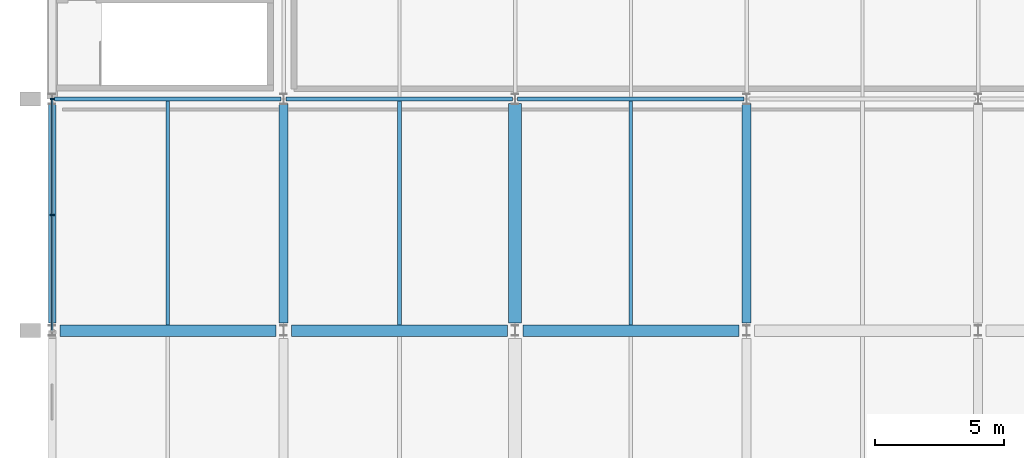
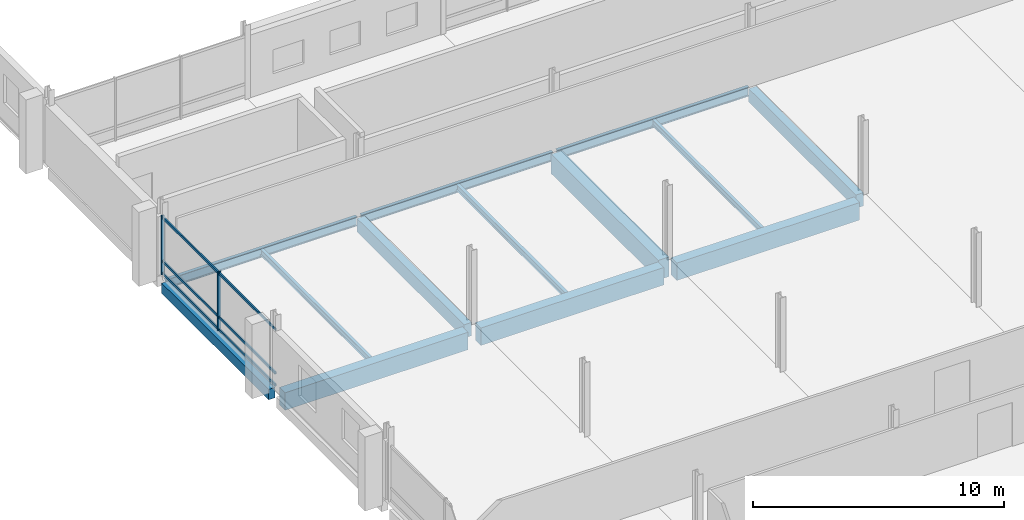
# One storey, part 45 of 132: 13 beams, 8 members, 1 element without a shape of its own.
"""IFC4 building model written with IfcOpenShell, lengths in metres."""

from ifc_helpers import new_model, si_unit, direction, frame, origin, origin_2d, place, context, subcontext, project, spatial, rectangle, i_section, extrude, material, material_profile, profile_set, type_object, element, aggregate, save


model = new_model("IFC4")

# Units and contexts
model_context = context("Model", 3, precision=1e-05, world=origin(), true_north=direction((0.0, 1.0)))
body_context = subcontext(model_context, "Body", "Model", "MODEL_VIEW")
ifc_project = project(units=[si_unit("LENGTHUNIT", "METRE"), si_unit("AREAUNIT", "SQUARE_METRE"), si_unit("VOLUMEUNIT", "CUBIC_METRE"), si_unit("PLANEANGLEUNIT", "RADIAN"), si_unit("MASSUNIT", "GRAM", prefix="KILO")], contexts=[model_context])

# Site, building, storey
site_placement = place(None, origin())
site = spatial("IfcSite", under=ifc_project, at=site_placement, CompositionType="ELEMENT")
building_placement = place(site_placement, origin())
building = spatial("IfcBuilding", under=site, at=building_placement, Name="Tharagai Park Tramway Depot", CompositionType="ELEMENT")
storey_placement = place(building_placement, frame((0.0, 0.0, 4.800048828125)))
storey = spatial("IfcBuildingStorey", under=building, at=storey_placement, Name="L01", CompositionType="ELEMENT", Elevation=4.800048828125)

# Beams
ifc_material_1 = material(Name="Steel E350", Category="steel")
ifc_material_profile_1 = material_profile(ifc_material_1, i_section(OverallWidth=0.14990234375, OverallDepth=0.449951171875, WebThickness=0.009521484375, FlangeThickness=0.017333984375, FilletRadius=0.014892578125, at=origin_2d()), Name="ISMB 450")
ifc_profile_set_1 = profile_set([ifc_material_profile_1], Name="Steel E350")
beam_type_1 = type_object("IfcBeamType", Name="BM-02", PredefinedType="BEAM", material=ifc_profile_set_1)
for number, where, z_axis, x_axis, name in (
    (1, (0.10009765625, 90.0, -0.505126953125), (1.0, 0.0, 0.0), (0.0, 1.0, 0.0), "L01 Grid Beam BM-02"),
    (2, (9.10009765625, 90.0, -0.505126953125), (1.0, 0.0, 0.0), (0.0, 1.0, 0.0), "L01 Grid Beam BM-02"),
    (3, (18.10009765625, 90.0, -0.505126953125), (1.0, 0.0, 0.0), (0.0, 1.0, 0.0), "L01 Grid Beam BM-02"),
):
    element("IfcBeam", number, at=place(storey_placement, frame(where, z_axis=z_axis, x_axis=x_axis)), inside=storey, type_object=beam_type_1, Name=name, PredefinedType="BEAM", context=body_context, shape_type="SweptSolid", body=[
        extrude(i_section(OverallWidth=0.14990234375, OverallDepth=0.449951171875, WebThickness=0.009521484375, FlangeThickness=0.017333984375, FilletRadius=0.014892578125, at=origin_2d()), origin(), (0.0, 0.0, 1.0), 8.7998046875),
    ])
ifc_material_2 = material(Name="Concrete M35", Category="concrete")
ifc_material_profile_2 = material_profile(ifc_material_2, rectangle(XDim=0.449951171875, YDim=0.85009765625, at=origin_2d()), Name="RC 450x850")
ifc_profile_set_2 = profile_set([ifc_material_profile_2], Name="Concrete M35")
beam_type_2 = type_object("IfcBeamType", Name="BM-03", PredefinedType="BEAM", material=ifc_profile_set_2)
for number, where, z_axis, x_axis, name in (
    (4, (0.300048828125, 81.0, -0.705078125), (1.0, 0.0, 0.0), (0.0, 1.0, 0.0), "L01 Grid Beam BM-03"),
    (5, (9.300048828125, 81.0, -0.705078125), (1.0, 0.0, 0.0), (0.0, 1.0, 0.0), "L01 Grid Beam BM-03"),
    (6, (18.300048828125, 81.0, -0.705078125), (1.0, 0.0, 0.0), (0.0, 1.0, 0.0), "L01 Grid Beam BM-03"),
):
    element("IfcBeam", number, at=place(storey_placement, frame(where, z_axis=z_axis, x_axis=x_axis)), inside=storey, type_object=beam_type_2, Name=name, PredefinedType="BEAM", context=body_context, shape_type="SweptSolid", body=[
        extrude(rectangle(XDim=0.449951171875, YDim=0.85009765625, at=origin_2d()), origin(), (0.0, 0.0, 1.0), 8.39990234375),
    ])
ifc_material_3 = material(Name="Concrete M40", Category="concrete")
ifc_material_profile_3 = material_profile(ifc_material_3, rectangle(XDim=0.5, YDim=0.949951171875, at=origin_2d()), Name="RC 500x950")
ifc_profile_set_3 = profile_set([ifc_material_profile_3], Name="Concrete M40")
beam_type_3 = type_object("IfcBeamType", Name="BM-07", PredefinedType="BEAM", material=ifc_profile_set_3)
beam_1_placement = place(storey_placement, frame((18.0, 81.300048828125, -0.755126953125), z_axis=(0.0, 1.0, 0.0), x_axis=(-1.0, 0.0, 0.0)))
element("IfcBeam", 7, at=beam_1_placement, inside=storey, type_object=beam_type_3, Name="L01 Grid Beam BM-07", PredefinedType="BEAM", context=body_context, shape_type="SweptSolid", body=[
    extrude(rectangle(XDim=0.5, YDim=0.949951171875, at=origin_2d()), origin(), (0.0, 0.0, 1.0), 8.52490234375),
])
ifc_material_profile_4 = material_profile(ifc_material_2, rectangle(XDim=0.35009765625, YDim=0.64990234375, at=origin_2d()), Name="RC 350x650")
ifc_profile_set_4 = profile_set([ifc_material_profile_4], Name="Concrete M35")
beam_type_4 = type_object("IfcBeamType", Name="BM-13", PredefinedType="BEAM", material=ifc_profile_set_4)
for number, where, z_axis, x_axis, name in (
    (8, (9.0, 81.300048828125, -0.60498046875), (0.0, 1.0, 0.0), (-1.0, 0.0, 0.0), "L01 Grid Beam BM-13"),
    (9, (27.0, 81.300048828125, -0.60498046875), (0.0, 1.0, 0.0), (-1.0, 0.0, 0.0), "L01 Grid Beam BM-13"),
):
    element("IfcBeam", number, at=place(storey_placement, frame(where, z_axis=z_axis, x_axis=x_axis)), inside=storey, type_object=beam_type_4, Name=name, PredefinedType="BEAM", context=body_context, shape_type="SweptSolid", body=[
        extrude(rectangle(XDim=0.35009765625, YDim=0.64990234375, at=origin_2d()), origin(), (0.0, 0.0, 1.0), 8.52490234375),
    ])

# Curtain wall, members
ifc_material_4 = material(Name="Anodised aluminium", Category="aluminium")
curtain_wall_type = type_object("IfcCurtainWallType", Name="CW-07", PredefinedType="NOTDEFINED", material=ifc_material_4)
curtain_wall_placement = place(storey_placement, origin())
curtain_wall = element("IfcCurtainWall", 10, at=curtain_wall_placement, inside=storey, type_object=curtain_wall_type, Name="L01 V2 Side Mullioned Curtain Wall CW-07", PredefinedType="NOTDEFINED")
ifc_material_profile_5 = material_profile(ifc_material_4, rectangle(XDim=0.06494140625, YDim=0.1201171875, at=origin_2d()), Name="ALU 65x120")
ifc_profile_set_5 = profile_set([ifc_material_profile_5], Name="Anodised aluminium")
member_type_1 = type_object("IfcMemberType", Name="CM-01", PredefinedType="USERDEFINED", material=ifc_profile_set_5)
member_1_placement = place(storey_placement, frame((0.0, 81.010986328125, 0.06005859375), z_axis=(0.0, 1.0, 0.0), x_axis=(-1.0, 0.0, 0.0)))
member_1 = element("IfcMember", 11, at=member_1_placement, type_object=member_type_1, Name="L01 V2 Side Mullioned Curtain Wall Transom 1.1", ObjectType="TRANSOM", PredefinedType="USERDEFINED", context=body_context, shape_type="SweptSolid", body=[
    extrude(rectangle(XDim=0.06494140625, YDim=0.1201171875, at=origin_2d()), origin(), (0.0, 0.0, 1.0), 4.47412109375),
])
member_2_placement = place(storey_placement, frame((0.0, 81.010986328125, 0.64990234375), z_axis=(0.0, 1.0, 0.0), x_axis=(-1.0, 0.0, 0.0)))
member_2 = element("IfcMember", 12, at=member_2_placement, type_object=member_type_1, Name="L01 V2 Side Mullioned Curtain Wall Transom 1.2", ObjectType="TRANSOM", PredefinedType="USERDEFINED", context=body_context, shape_type="SweptSolid", body=[
    extrude(rectangle(XDim=0.06494140625, YDim=0.1201171875, at=origin_2d()), origin(), (0.0, 0.0, 1.0), 4.47412109375),
])
member_3_placement = place(storey_placement, frame((0.0, 81.010986328125, 2.77001953125), z_axis=(0.0, 1.0, 0.0), x_axis=(-1.0, 0.0, 0.0)))
member_3 = element("IfcMember", 13, at=member_3_placement, type_object=member_type_1, Name="L01 V2 Side Mullioned Curtain Wall Transom 1.3", ObjectType="TRANSOM", PredefinedType="USERDEFINED", context=body_context, shape_type="SweptSolid", body=[
    extrude(rectangle(XDim=0.06494140625, YDim=0.1201171875, at=origin_2d()), origin(), (0.0, 0.0, 1.0), 4.47412109375),
])
member_4_placement = place(storey_placement, frame((0.0, 85.514892578125, 0.06005859375), z_axis=(0.0, 1.0, 0.0), x_axis=(-1.0, 0.0, 0.0)))
member_4 = element("IfcMember", 14, at=member_4_placement, type_object=member_type_1, Name="L01 V2 Side Mullioned Curtain Wall Transom 2.1", ObjectType="TRANSOM", PredefinedType="USERDEFINED", context=body_context, shape_type="SweptSolid", body=[
    extrude(rectangle(XDim=0.06494140625, YDim=0.1201171875, at=origin_2d()), origin(), (0.0, 0.0, 1.0), 4.47412109375),
])
member_5_placement = place(storey_placement, frame((0.0, 85.514892578125, 0.64990234375), z_axis=(0.0, 1.0, 0.0), x_axis=(-1.0, 0.0, 0.0)))
member_5 = element("IfcMember", 15, at=member_5_placement, type_object=member_type_1, Name="L01 V2 Side Mullioned Curtain Wall Transom 2.2", ObjectType="TRANSOM", PredefinedType="USERDEFINED", context=body_context, shape_type="SweptSolid", body=[
    extrude(rectangle(XDim=0.06494140625, YDim=0.1201171875, at=origin_2d()), origin(), (0.0, 0.0, 1.0), 4.47412109375),
])
member_6_placement = place(storey_placement, frame((0.0, 85.514892578125, 2.77001953125), z_axis=(0.0, 1.0, 0.0), x_axis=(-1.0, 0.0, 0.0)))
member_6 = element("IfcMember", 16, at=member_6_placement, type_object=member_type_1, Name="L01 V2 Side Mullioned Curtain Wall Transom 2.3", ObjectType="TRANSOM", PredefinedType="USERDEFINED", context=body_context, shape_type="SweptSolid", body=[
    extrude(rectangle(XDim=0.06494140625, YDim=0.1201171875, at=origin_2d()), origin(), (0.0, 0.0, 1.0), 4.47412109375),
])
ifc_material_profile_6 = material_profile(ifc_material_4, rectangle(XDim=0.06494140625, YDim=0.14990234375, at=origin_2d()), Name="ALU 65x150")
ifc_profile_set_6 = profile_set([ifc_material_profile_6], Name="Anodised aluminium")
member_type_2 = type_object("IfcMemberType", Name="CM-03", PredefinedType="MULLION", material=ifc_profile_set_6)
member_7_placement = place(storey_placement, frame((0.0, 85.5, -0.005126953125), z_axis=(0.0, 0.0, 1.0), x_axis=(0.0, 1.0, 0.0)))
member_7 = element("IfcMember", 17, at=member_7_placement, type_object=member_type_2, Name="L01 V2 Side Mullioned Curtain Wall Mullion 2", PredefinedType="MULLION", context=body_context, shape_type="SweptSolid", body=[
    extrude(rectangle(XDim=0.06494140625, YDim=0.14990234375, at=origin_2d()), origin(), (0.0, 0.0, 1.0), 2.860107421875),
])
member_8_placement = place(storey_placement, frame((0.0, 90.00390625, -0.005126953125), z_axis=(0.0, 0.0, 1.0), x_axis=(0.0, 1.0, 0.0)))
member_8 = element("IfcMember", 18, at=member_8_placement, type_object=member_type_2, Name="L01 V2 Side Mullioned Curtain Wall Mullion 3", PredefinedType="MULLION", context=body_context, shape_type="SweptSolid", body=[
    extrude(rectangle(XDim=0.06494140625, YDim=0.14990234375, at=origin_2d()), origin(), (0.0, 0.0, 1.0), 2.860107421875),
])
aggregate(curtain_wall, [member_7, member_8, member_1, member_2, member_3, member_4, member_5, member_6])

# Beams
ifc_material_profile_7 = material_profile(ifc_material_1, i_section(OverallWidth=0.139892578125, OverallDepth=0.300048828125, WebThickness=0.0078125, FlangeThickness=0.01318359375, FilletRadius=0.013916015625, at=origin_2d()), Name="ISMB 300")
ifc_profile_set_7 = profile_set([ifc_material_profile_7], Name="Steel E350")
beam_type_5 = type_object("IfcBeamType", Name="JT-03", PredefinedType="JOIST", material=ifc_profile_set_7)
for number, where, z_axis, x_axis, name in (
    (19, (4.5, 81.22509765625, -0.429931640625), (0.0, 1.0, 0.0), (-1.0, 0.0, 0.0), "L01 Secondary Joist JT-03"),
    (20, (22.5, 81.22509765625, -0.429931640625), (0.0, 1.0, 0.0), (-1.0, 0.0, 0.0), "L01 Secondary Joist JT-03"),
):
    element("IfcBeam", number, at=place(storey_placement, frame(where, z_axis=z_axis, x_axis=x_axis)), inside=storey, type_object=beam_type_5, Name=name, PredefinedType="JOIST", context=body_context, shape_type="SweptSolid", body=[
        extrude(i_section(OverallWidth=0.139892578125, OverallDepth=0.300048828125, WebThickness=0.0078125, FlangeThickness=0.01318359375, FilletRadius=0.013916015625, at=origin_2d()), origin(), (0.0, 0.0, 1.0), 8.699951171875),
    ])
ifc_material_profile_8 = material_profile(ifc_material_1, i_section(OverallWidth=0.14990234375, OverallDepth=0.300048828125, WebThickness=0.006591796875, FlangeThickness=0.009521484375, FilletRadius=0.011962890625, at=origin_2d()), Name="ISLB 300")
ifc_profile_set_8 = profile_set([ifc_material_profile_8], Name="Steel E350")
beam_type_6 = type_object("IfcBeamType", Name="JT-07", PredefinedType="JOIST", material=ifc_profile_set_8)
beam_2_placement = place(storey_placement, frame((13.5, 81.22509765625, -0.429931640625), z_axis=(0.0, 1.0, 0.0), x_axis=(-1.0, 0.0, 0.0)))
element("IfcBeam", 21, at=beam_2_placement, inside=storey, type_object=beam_type_6, Name="L01 Secondary Joist JT-07", PredefinedType="JOIST", context=body_context, shape_type="SweptSolid", body=[
    extrude(i_section(OverallWidth=0.14990234375, OverallDepth=0.300048828125, WebThickness=0.006591796875, FlangeThickness=0.009521484375, FilletRadius=0.011962890625, at=origin_2d()), origin(), (0.0, 0.0, 1.0), 8.699951171875),
])
ifc_material_profile_9 = material_profile(ifc_material_2, rectangle(XDim=0.300048828125, YDim=0.5, at=origin_2d()), Name="RC 300x500")
ifc_profile_set_9 = profile_set([ifc_material_profile_9], Name="Concrete M35")
beam_type_7 = type_object("IfcBeamType", Name="SP-03", PredefinedType="SPANDREL", material=ifc_profile_set_9)
beam_3_placement = place(storey_placement, frame((0.0, 81.300048828125, -0.530029296875), z_axis=(0.0, 1.0, 0.0), x_axis=(-1.0, 0.0, 0.0)))
element("IfcBeam", 22, at=beam_3_placement, inside=storey, type_object=beam_type_7, Name="L01 Grid Beam SP-03", PredefinedType="SPANDREL", context=body_context, shape_type="SweptSolid", body=[
    extrude(rectangle(XDim=0.300048828125, YDim=0.5, at=origin_2d()), origin(), (0.0, 0.0, 1.0), 8.52490234375),
])

save(model, "model.ifc")
